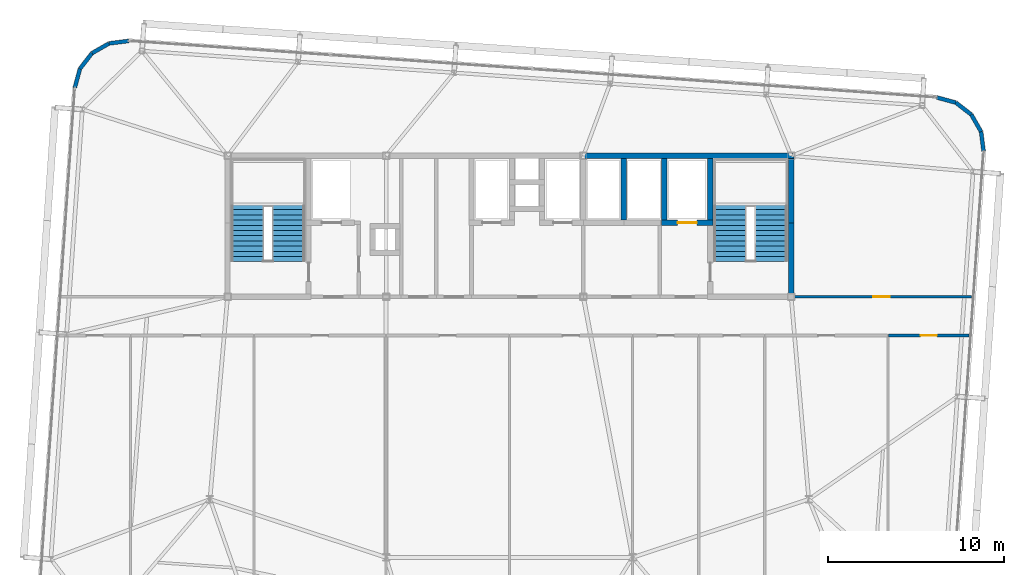
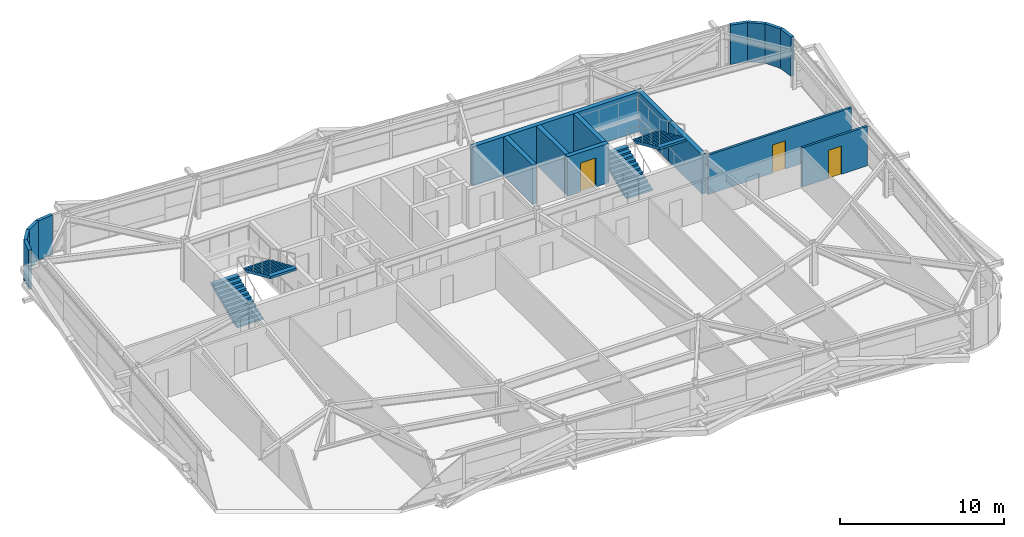
# One storey, part 37 of 39: 17 walls, 4 stair flights, 3 doors, 3 openings, 2 elements without a shape of their own.
"""IFC4 building model written with IfcOpenShell, lengths in metres."""

from ifc_helpers import new_model, si_unit, direction, frame, frame_2d, origin, place, context, subcontext, project, spatial, polyline, rectangle, outline, extrude, source, transform, mapped, material, layer, layer_set, type_object, element, fill, aggregate, save


model = new_model("IFC4")

# Units and contexts
model_context = context("Model", 3, precision=1e-05, world=origin(), true_north=direction((0.0, 1.0)))
body_context = subcontext(model_context, "Body", "Model", "MODEL_VIEW")
ifc_project = project(units=[si_unit("LENGTHUNIT", "METRE"), si_unit("AREAUNIT", "SQUARE_METRE"), si_unit("VOLUMEUNIT", "CUBIC_METRE"), si_unit("PLANEANGLEUNIT", "RADIAN"), si_unit("MASSUNIT", "GRAM", prefix="KILO")], contexts=[model_context])

# Site, building, storey
site_placement = place(None, origin())
site = spatial("IfcSite", under=ifc_project, at=site_placement, CompositionType="ELEMENT")
building_placement = place(site_placement, origin())
building = spatial("IfcBuilding", under=site, at=building_placement, Name="Taldren Reach Tower", CompositionType="ELEMENT")
storey_placement = place(building_placement, frame((0.0, 0.0, 155.050048828125)))
storey = spatial("IfcBuildingStorey", under=building, at=storey_placement, Name="L47", CompositionType="ELEMENT", Elevation=155.050048828125)

# Walls
ifc_material_1 = material(Name="Pale Champagne Anodised Aluminium Cladding", Category="aluminium")
ifc_layer_1 = layer(ifc_material_1, 0.04, Name="Pale Champagne Anodised Aluminium Cladding", Category="aluminium")
ifc_material_2 = material(Name="Mineral Wool Acoustic Insulation", Category="insulation")
ifc_layer_2 = layer(ifc_material_2, 0.06, Name="Mineral Wool Acoustic Insulation", Category="insulation")
ifc_material_3 = material(Name="Steel Gr 350 (C350L0)", Category="steel")
ifc_layer_3 = layer(ifc_material_3, 0.12, Name="Steel Gr 350 (C350L0)", Category="steel")
ifc_layer_set_1 = layer_set([ifc_layer_1, ifc_layer_2, ifc_layer_3], Name="Pale Champagne Aluminium Cladding and Steel Gr 350 Stud Framing")
wall_type_1 = type_object("IfcWallType", Name="EW-CRN-220", PredefinedType="SOLIDWALL", material=ifc_layer_set_1)
shared_shape_1 = source(origin(), body_context, "Body", "SweptSolid", [
    extrude(rectangle(XDim=1.115966796875, YDim=0.219970703125, at=frame_2d((0.55810546875, 0.0))), origin(), (0.0, 0.0, 1.0), 2.929931640625),
])
for number, where, z_axis, x_axis, name in (
    (1, (61.923583984375, 32.261962890625, 0.0), (0.0, 0.0, 1.0), (-0.126242535829, 0.991999406324, 0.0), "Rounded-corner pale-metal facade wall L47-NE1"),
    (2, (61.78271484375, 33.368896484375, 0.0), (0.0, 0.0, 1.0), (-0.496138938357, 0.868243142124, 0.0), "Rounded-corner pale-metal facade wall L47-NE2"),
    (3, (61.22900390625, 34.337890625, 0.0), (0.0, 0.0, 1.0), (-0.790716874741, 0.612182018684, 0.0), "Rounded-corner pale-metal facade wall L47-NE3"),
    (4, (60.3466796875, 35.02099609375, 0.0), (0.0, 0.0, 1.0), (-0.964804199372, 0.262969307856, 0.0), "Rounded-corner pale-metal facade wall L47-NE4"),
    (5, (13.382080078125, 38.5234375, 0.0), (0.0, 0.0, 1.0), (-0.991999406324, -0.126242535829, 0.0), "Rounded-corner pale-metal facade wall L47-NW1"),
    (6, (11.306396484375, 37.828857421875, 0.0), (0.0, 0.0, 1.0), (-0.612318787668, -0.790610967714, 0.0), "Rounded-corner pale-metal facade wall L47-NW3"),
    (7, (10.623046875, 36.946533203125, 0.0), (0.0, 0.0, 1.0), (-0.262969307856, -0.964804199372, 0.0), "Rounded-corner pale-metal facade wall L47-NW4"),
):
    element("IfcWall", number, at=place(storey_placement, frame(where, z_axis=z_axis, x_axis=x_axis)), inside=storey, type_object=wall_type_1, Name=name, PredefinedType="SOLIDWALL", context=body_context, shape_type="MappedRepresentation", body=[
        mapped(shared_shape_1, transform((0.0, 0.0, 0.0), scale=1.0)),
    ])
shared_shape_2 = source(origin(), body_context, "Body", "SweptSolid", [
    extrude(rectangle(XDim=1.11572265625, YDim=0.219970703125, at=frame_2d((0.557861328125, 0.0))), origin(), (0.0, 0.0, 1.0), 2.929931640625),
])
wall_1_placement = place(storey_placement, frame((12.275146484375, 38.382568359375, 0.0), z_axis=(0.0, 0.0, 1.0), x_axis=(-0.868189279113, -0.496233186751, 0.0)))
element("IfcWall", 8, at=wall_1_placement, inside=storey, type_object=wall_type_1, Name="Rounded-corner pale-metal facade wall L47-NW2", PredefinedType="SOLIDWALL", context=body_context, shape_type="MappedRepresentation", body=[
    mapped(shared_shape_2, transform((0.0, 0.0, 0.0), scale=1.0)),
])
ifc_material_4 = material(Name="Concrete S65 (65 MPa)", Category="concrete")
ifc_layer_4 = layer(ifc_material_4, 0.300048828125)
ifc_layer_set_2 = layer_set([ifc_layer_4], Name="Concrete S65 (65 MPa)")
wall_type_2 = type_object("IfcWallType", Name="IW-CORE-300", PredefinedType="SHEAR", material=ifc_layer_set_2)
shared_shape_3 = source(origin(), body_context, "Body", "SweptSolid", [
    extrude(rectangle(XDim=11.949951171875, YDim=0.300048828125, at=frame_2d((5.97509765625, 0.0))), origin(), (0.0, 0.0, 1.0), 2.929931640625),
])
wall_2_placement = place(storey_placement, frame((39.199951171875, 32.0, 0.0), z_axis=(0.0, 0.0, 1.0), x_axis=(1.0, 0.0, 0.0)))
element("IfcWall", 9, at=wall_2_placement, inside=storey, type_object=wall_type_2, Name="Rear Core Shear Wall W-CORE-L47-NORTH3", PredefinedType="SHEAR", context=body_context, shape_type="MappedRepresentation", body=[
    mapped(shared_shape_3, transform((0.0, 0.0, 0.0), scale=1.0)),
])
shared_shape_4 = source(origin(), body_context, "Body", "SweptSolid", [
    extrude(rectangle(XDim=4.050048828125, YDim=0.300048828125, at=frame_2d((2.02490234375, 0.0))), origin(), (0.0, 0.0, 1.0), 2.929931640625),
])
wall_3_placement = place(storey_placement, frame((51.0, 24.14990234375, 0.0), z_axis=(0.0, 0.0, 1.0), x_axis=(0.0, 1.0, 0.0)))
element("IfcWall", 10, at=wall_3_placement, inside=storey, type_object=wall_type_2, Name="Rear Core Shear Wall W-CORE-L47-EAST1", PredefinedType="SHEAR", context=body_context, shape_type="MappedRepresentation", body=[
    mapped(shared_shape_4, transform((0.0, 0.0, 0.0), scale=1.0)),
])
shared_shape_5 = source(origin(), body_context, "Body", "SweptSolid", [
    extrude(rectangle(XDim=3.650146484375, YDim=0.300048828125, at=frame_2d((1.8251953125, 0.0))), origin(), (0.0, 0.0, 1.0), 2.929931640625),
])
wall_4_placement = place(storey_placement, frame((51.0, 28.199951171875, 0.0), z_axis=(0.0, 0.0, 1.0), x_axis=(0.0, 1.0, 0.0)))
element("IfcWall", 11, at=wall_4_placement, inside=storey, type_object=wall_type_2, Name="Rear Core Shear Wall W-CORE-L47-EAST2", PredefinedType="SHEAR", context=body_context, shape_type="MappedRepresentation", body=[
    mapped(shared_shape_5, transform((0.0, 0.0, 0.0), scale=1.0)),
])
shared_shape_6 = source(origin(), body_context, "Body", "SweptSolid", [
    extrude(rectangle(XDim=3.5, YDim=0.300048828125, at=frame_2d((1.75, 0.0))), origin(), (0.0, 0.0, 1.0), 2.929931640625),
])
for number, where, z_axis, x_axis, name in (
    (12, (46.39990234375, 31.85009765625, 0.0), (0.0, 0.0, 1.0), (0.0, -1.0, 0.0), "Rear Core Shear Wall W-INT-L47-007"),
    (13, (43.800048828125, 31.85009765625, 0.0), (0.0, 0.0, 1.0), (0.0, -1.0, 0.0), "Rear Core Shear Wall W-INT-L47-011"),
    (14, (41.5, 28.35009765625, 0.0), (0.0, 0.0, 1.0), (0.0, 1.0, 0.0), "Rear Core Shear Wall W-INT-L47-033"),
):
    element("IfcWall", number, at=place(storey_placement, frame(where, z_axis=z_axis, x_axis=x_axis)), inside=storey, type_object=wall_type_2, Name=name, PredefinedType="SHEAR", context=body_context, shape_type="MappedRepresentation", body=[
        mapped(shared_shape_6, transform((0.0, 0.0, 0.0), scale=1.0)),
    ])

# Wall, opening, door
shared_shape_7 = source(origin(), body_context, "Body", "SweptSolid", [
    extrude(rectangle(XDim=2.900146484375, YDim=0.300048828125, at=frame_2d((1.4501953125, 0.0))), origin(), (0.0, 0.0, 1.0), 2.929931640625),
])
wall_5_placement = place(storey_placement, frame((43.64990234375, 28.199951171875, 0.0), z_axis=(0.0, 0.0, 1.0), x_axis=(1.0, 0.0, 0.0)))
wall_5 = element("IfcWall", 15, at=wall_5_placement, inside=storey, type_object=wall_type_2, Name="Rear Core Shear Wall W-INT-L47-010", PredefinedType="SHEAR", context=body_context, shape_type="MappedRepresentation", body=[
    mapped(shared_shape_7, transform((0.0, 0.0, 0.0), scale=1.0)),
])
shared_shape_8 = source(origin(), body_context, "Body", "SweptSolid", [
    extrude(rectangle(XDim=1.10009765625, YDim=2.14990234375, at=frame_2d((0.550048828125, 1.074951171875))), frame((0.0, 0.16015625, 0.0), z_axis=(0.0, -1.0, 0.0), x_axis=(1.0, 0.0, 0.0)), (0.0, 0.0, 1.0), 0.320068359375),
])
opening_1_placement = place(wall_5_placement, frame((0.89990234375, 0.0, 0.0)))
opening_1 = element("IfcOpeningElement", 16, at=opening_1_placement, cuts=wall_5, Name="Opening LD-FL2", PredefinedType="OPENING", context=body_context, shape_type="MappedRepresentation", body=[
    mapped(shared_shape_8, transform((0.0, 0.0, 0.0), scale=1.0)),
])
ifc_material_5 = material(Name="Stainless Steel Gr 316 Emergency Lift Landing Door", Category="steel")
door_type_1 = type_object("IfcDoorType", Name="LD-EMG-110", OperationType="SLIDING_TO_LEFT", PredefinedType="DOOR", material=ifc_material_5)
shared_shape_9 = source(origin(), body_context, "Body", "SweptSolid", [
    extrude(rectangle(XDim=1.10009765625, YDim=2.14990234375, at=frame_2d((0.550048828125, 1.074951171875))), frame((0.0, 0.02490234375, 0.0), z_axis=(0.0, -1.0, 0.0), x_axis=(1.0, 0.0, 0.0)), (0.0, 0.0, 1.0), 0.050048828125),
])
door_1_placement = place(opening_1_placement, origin())
door_1 = element("IfcDoor", 17, at=door_1_placement, inside=storey, type_object=door_type_1, Name="Lift Landing Door LD-FL2-L47", OperationType="SLIDING_TO_LEFT", OverallHeight=2.14990234375, OverallWidth=1.10009765625, PredefinedType="DOOR", context=body_context, shape_type="MappedRepresentation", body=[
    mapped(shared_shape_9, transform((0.0, 0.0, 0.0), scale=1.0)),
])
fill(opening_1, door_1)

ifc_material_6 = material(Name="Fire-Rated Acoustic Plasterboard Stud Wall", Category="gypsum")
ifc_layer_5 = layer(ifc_material_6, 0.159912109375)
ifc_layer_set_3 = layer_set([ifc_layer_5], Name="Fire-Rated Acoustic Plasterboard Stud Wall")
wall_type_3 = type_object("IfcWallType", Name="IW-FIRE-160", PredefinedType="PARTITIONING", material=ifc_layer_set_3)
shared_shape_10 = source(origin(), body_context, "Body", "SweptSolid", [
    extrude(rectangle(XDim=10.10009765625, YDim=0.159912109375, at=frame_2d((5.050048828125, 0.0))), origin(), (0.0, 0.0, 1.0), 2.929931640625),
])
wall_6_placement = place(storey_placement, frame((51.14990234375, 24.0, 0.0), z_axis=(0.0, 0.0, 1.0), x_axis=(1.0, 0.0, 0.0)))
wall_6 = element("IfcWall", 18, at=wall_6_placement, inside=storey, type_object=wall_type_3, Name="Interior Partition Wall W-INT-L47-051", PredefinedType="PARTITIONING", context=body_context, shape_type="MappedRepresentation", body=[
    mapped(shared_shape_10, transform((0.0, 0.0, 0.0), scale=1.0)),
])
shared_shape_11 = source(origin(), body_context, "Body", "SweptSolid", [
    extrude(rectangle(XDim=0.919921875, YDim=2.10009765625, at=frame_2d((0.4599609375, 1.050048828125))), frame((0.0, 0.08984375, 0.0), z_axis=(0.0, -1.0, 0.0), x_axis=(1.0, 0.0, 0.0)), (0.0, 0.0, 1.0), 0.179931640625),
])
opening_2_placement = place(wall_6_placement, frame((4.525146484375, 0.0, 0.0)))
opening_2 = element("IfcOpeningElement", 19, at=opening_2_placement, cuts=wall_6, Name="Opening DI-092", PredefinedType="OPENING", context=body_context, shape_type="MappedRepresentation", body=[
    mapped(shared_shape_11, transform((0.0, 0.0, 0.0), scale=1.0)),
])
ifc_material_7 = material(Name="Solid-Core Timber Suite Door", Category="wood")
door_type_2 = type_object("IfcDoorType", Name="ID-INT-092", OperationType="NOTDEFINED", PredefinedType="DOOR", material=ifc_material_7)
shared_shape_12 = source(origin(), body_context, "Body", "SweptSolid", [
    extrude(rectangle(XDim=0.919921875, YDim=2.10009765625, at=frame_2d((0.4599609375, 1.050048828125))), frame((0.0, 0.02490234375, 0.0), z_axis=(0.0, -1.0, 0.0), x_axis=(1.0, 0.0, 0.0)), (0.0, 0.0, 1.0), 0.050048828125),
])
door_2_placement = place(opening_2_placement, origin())
door_2 = element("IfcDoor", 20, at=door_2_placement, inside=storey, type_object=door_type_2, Name="Interior Door DR-L47-018", OperationType="SINGLE_SWING_LEFT", OverallHeight=2.10009765625, OverallWidth=0.919921875, PredefinedType="DOOR", context=body_context, shape_type="MappedRepresentation", body=[
    mapped(shared_shape_12, transform((0.0, 0.0, 0.0), scale=1.0)),
])
fill(opening_2, door_2)

shared_shape_13 = source(origin(), body_context, "Body", "SweptSolid", [
    extrude(rectangle(XDim=4.587158203125, YDim=0.159912109375, at=frame_2d((2.29345703125, 0.0))), origin(), (0.0, 0.0, 1.0), 2.929931640625),
])
wall_7_placement = place(storey_placement, frame((61.107421875, 21.800048828125, 0.0), z_axis=(0.0, 0.0, 1.0), x_axis=(-1.0, 0.0, 0.0)))
wall_7 = element("IfcWall", 21, at=wall_7_placement, inside=storey, type_object=wall_type_3, Name="Interior Partition Wall W-INT-L47-050", PredefinedType="PARTITIONING", context=body_context, shape_type="MappedRepresentation", body=[
    mapped(shared_shape_13, transform((0.0, 0.0, 0.0), scale=1.0)),
])
opening_3_placement = place(wall_7_placement, frame((1.83349609375, 0.0, 0.0)))
opening_3 = element("IfcOpeningElement", 22, at=opening_3_placement, cuts=wall_7, Name="Opening DI-092", PredefinedType="OPENING", context=body_context, shape_type="MappedRepresentation", body=[
    mapped(shared_shape_11, transform((0.0, 0.0, 0.0), scale=1.0)),
])
door_3_placement = place(opening_3_placement, origin())
door_3 = element("IfcDoor", 23, at=door_3_placement, inside=storey, type_object=door_type_2, Name="Interior Door DR-L47-017", OperationType="SINGLE_SWING_RIGHT", OverallHeight=2.10009765625, OverallWidth=0.919921875, PredefinedType="DOOR", context=body_context, shape_type="MappedRepresentation", body=[
    mapped(shared_shape_12, transform((0.0, 0.0, 0.0), scale=1.0)),
])
fill(opening_3, door_3)

# Stair, stair flights
ifc_material_8 = material(Name="Concrete S50 (50 MPa)", Category="concrete")
stair_type = type_object("IfcStairType", Name="ST-HT-315", PredefinedType="HALF_TURN_STAIR", material=ifc_material_8)
stair_1_placement = place(storey_placement, origin())
stair_1 = element("IfcStair", 24, at=stair_1_placement, inside=storey, type_object=stair_type, Name="Fire-isolated exit stair ST1 L47", PredefinedType="HALF_TURN_STAIR")
stair_flight_type = type_object("IfcStairFlightType", Name="SF-STR-315", PredefinedType="STRAIGHT", material=ifc_material_8)
stair_flight_1_placement = place(storey_placement, frame((20.139892578125, 25.989990234375, 0.0), z_axis=(0.0, 0.0, 1.0), x_axis=(0.0, 1.0, 0.0)))
stair_flight_1 = element("IfcStairFlight", 25, at=stair_flight_1_placement, type_object=stair_flight_type, Name="ST1 flight 1", NumberOfRisers=12, NumberOfTreads=11, PredefinedType="STRAIGHT", RiserHeight=0.13125, TreadLength=0.295, context=body_context, shape_type="SweptSolid", body=[
    extrude(outline(polyline([(0.0, 0.0), (0.0, 0.13134765625), (0.294921875, 0.13134765625), (0.294921875, 0.262451171875), (0.590087890625, 0.262451171875), (0.590087890625, 0.393798828125), (0.885009765625, 0.393798828125), (0.885009765625, 0.52490234375), (1.179931640625, 0.52490234375), (1.179931640625, 0.65625), (1.47509765625, 0.65625), (1.47509765625, 0.78759765625), (1.77001953125, 0.78759765625), (1.77001953125, 0.918701171875), (2.06494140625, 0.918701171875), (2.06494140625, 1.050048828125), (2.360107421875, 1.050048828125), (2.360107421875, 1.18115234375), (2.655029296875, 1.18115234375), (2.655029296875, 1.3125), (2.949951171875, 1.3125), (2.949951171875, 1.44384765625), (3.2451171875, 1.44384765625), (3.2451171875, 1.574951171875), (3.2451171875, 1.268798828125), (0.393310546875, 0.0), (0.0, 0.0)])), frame((0.0, 0.919921875, 0.0), z_axis=(0.0, -1.0, 0.0), x_axis=(1.0, 0.0, 0.0)), (0.0, 0.0, 1.0), 1.840087890625),
])
stair_flight_2_placement = place(storey_placement, frame((22.4599609375, 29.235107421875, 1.574951171875), z_axis=(0.0, 0.0, 1.0), x_axis=(0.0, -1.0, 0.0)))
stair_flight_2 = element("IfcStairFlight", 26, at=stair_flight_2_placement, type_object=stair_flight_type, Name="ST1 flight 2", NumberOfRisers=12, NumberOfTreads=11, PredefinedType="STRAIGHT", RiserHeight=0.13125, TreadLength=0.295, context=body_context, shape_type="SweptSolid", body=[
    extrude(outline(polyline([(0.0, 0.0), (0.0, 0.13134765625), (0.294921875, 0.13134765625), (0.294921875, 0.262451171875), (0.590087890625, 0.262451171875), (0.590087890625, 0.393798828125), (0.885009765625, 0.393798828125), (0.885009765625, 0.52490234375), (1.179931640625, 0.52490234375), (1.179931640625, 0.65625), (1.47509765625, 0.65625), (1.47509765625, 0.78759765625), (1.77001953125, 0.78759765625), (1.77001953125, 0.918701171875), (2.06494140625, 0.918701171875), (2.06494140625, 1.050048828125), (2.360107421875, 1.050048828125), (2.360107421875, 1.18115234375), (2.655029296875, 1.18115234375), (2.655029296875, 1.3125), (2.949951171875, 1.3125), (2.949951171875, 1.44384765625), (3.2451171875, 1.44384765625), (3.2451171875, 1.574951171875), (3.2451171875, 1.268798828125), (0.393310546875, 0.0), (0.0, 0.0)])), frame((0.0, 0.919921875, 0.0), z_axis=(0.0, -1.0, 0.0), x_axis=(1.0, 0.0, 0.0)), (0.0, 0.0, 1.0), 1.840087890625),
])
aggregate(stair_1, [stair_flight_1, stair_flight_2])

stair_2_placement = place(storey_placement, origin())
stair_2 = element("IfcStair", 27, at=stair_2_placement, inside=storey, type_object=stair_type, Name="Fire-isolated exit stair ST2 L47", PredefinedType="HALF_TURN_STAIR")
stair_flight_3_placement = place(storey_placement, frame((47.5400390625, 25.989990234375, 0.0), z_axis=(0.0, 0.0, 1.0), x_axis=(0.0, 1.0, 0.0)))
stair_flight_3 = element("IfcStairFlight", 28, at=stair_flight_3_placement, type_object=stair_flight_type, Name="ST2 flight 1", NumberOfRisers=12, NumberOfTreads=11, PredefinedType="STRAIGHT", RiserHeight=0.13125, TreadLength=0.295, context=body_context, shape_type="SweptSolid", body=[
    extrude(outline(polyline([(0.0, 0.0), (0.0, 0.13134765625), (0.294921875, 0.13134765625), (0.294921875, 0.262451171875), (0.590087890625, 0.262451171875), (0.590087890625, 0.393798828125), (0.885009765625, 0.393798828125), (0.885009765625, 0.52490234375), (1.179931640625, 0.52490234375), (1.179931640625, 0.65625), (1.47509765625, 0.65625), (1.47509765625, 0.78759765625), (1.77001953125, 0.78759765625), (1.77001953125, 0.918701171875), (2.06494140625, 0.918701171875), (2.06494140625, 1.050048828125), (2.360107421875, 1.050048828125), (2.360107421875, 1.18115234375), (2.655029296875, 1.18115234375), (2.655029296875, 1.3125), (2.949951171875, 1.3125), (2.949951171875, 1.44384765625), (3.2451171875, 1.44384765625), (3.2451171875, 1.574951171875), (3.2451171875, 1.268798828125), (0.393310546875, 0.0), (0.0, 0.0)])), frame((0.0, 0.919921875, 0.0), z_axis=(0.0, -1.0, 0.0), x_axis=(1.0, 0.0, 0.0)), (0.0, 0.0, 1.0), 1.840087890625),
])
stair_flight_4_placement = place(storey_placement, frame((49.860107421875, 29.235107421875, 1.574951171875), z_axis=(0.0, 0.0, 1.0), x_axis=(0.0, -1.0, 0.0)))
stair_flight_4 = element("IfcStairFlight", 29, at=stair_flight_4_placement, type_object=stair_flight_type, Name="ST2 flight 2", NumberOfRisers=12, NumberOfTreads=11, PredefinedType="STRAIGHT", RiserHeight=0.13125, TreadLength=0.295, context=body_context, shape_type="SweptSolid", body=[
    extrude(outline(polyline([(0.0, 0.0), (0.0, 0.13134765625), (0.294921875, 0.13134765625), (0.294921875, 0.262451171875), (0.590087890625, 0.262451171875), (0.590087890625, 0.393798828125), (0.885009765625, 0.393798828125), (0.885009765625, 0.52490234375), (1.179931640625, 0.52490234375), (1.179931640625, 0.65625), (1.47509765625, 0.65625), (1.47509765625, 0.78759765625), (1.77001953125, 0.78759765625), (1.77001953125, 0.918701171875), (2.06494140625, 0.918701171875), (2.06494140625, 1.050048828125), (2.360107421875, 1.050048828125), (2.360107421875, 1.18115234375), (2.655029296875, 1.18115234375), (2.655029296875, 1.3125), (2.949951171875, 1.3125), (2.949951171875, 1.44384765625), (3.2451171875, 1.44384765625), (3.2451171875, 1.574951171875), (3.2451171875, 1.268798828125), (0.393310546875, 0.0), (0.0, 0.0)])), frame((0.0, 0.919921875, 0.0), z_axis=(0.0, -1.0, 0.0), x_axis=(1.0, 0.0, 0.0)), (0.0, 0.0, 1.0), 1.840087890625),
])
aggregate(stair_2, [stair_flight_3, stair_flight_4])

save(model, "model.ifc")
